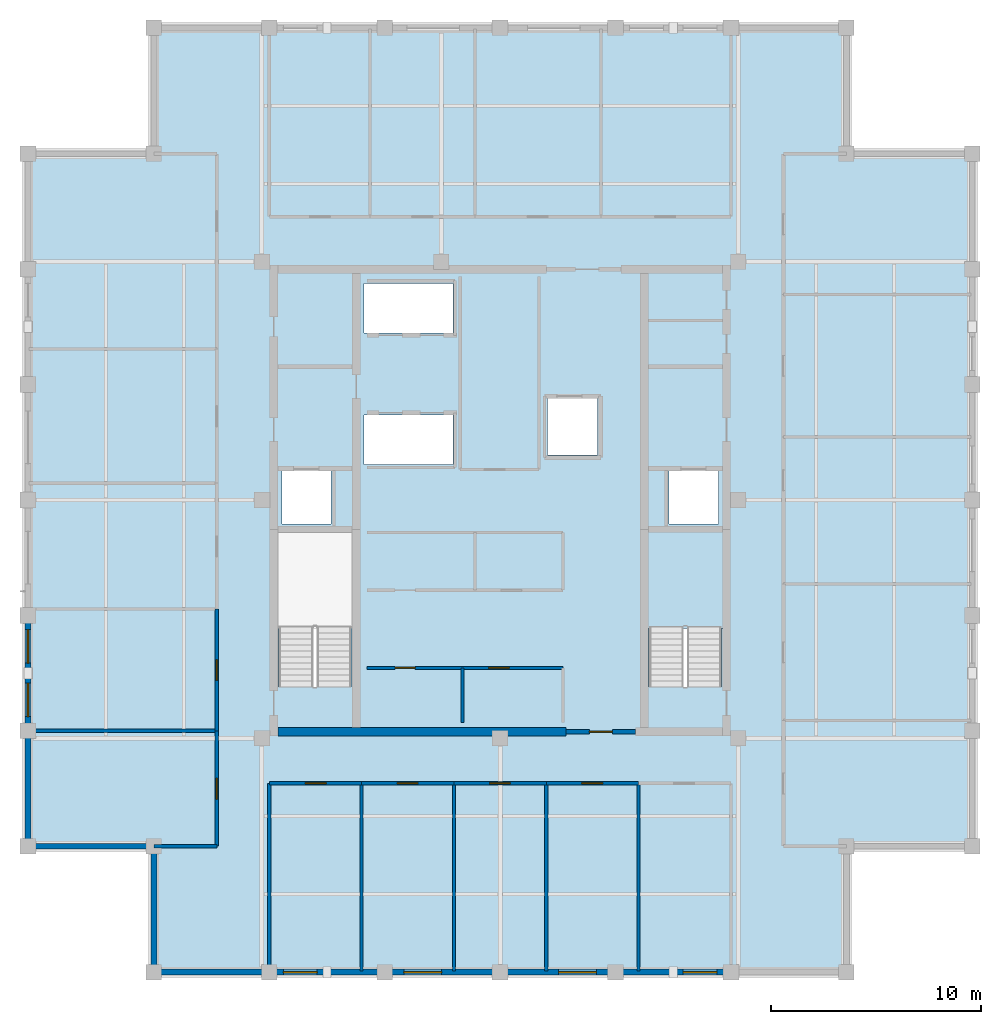
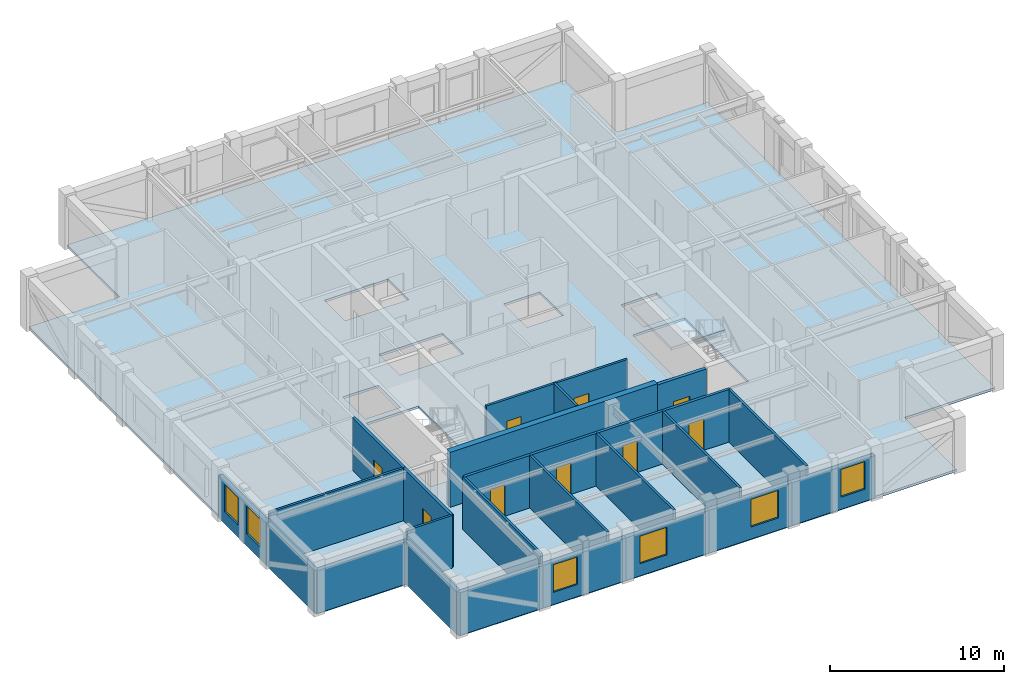
# One storey, part 3 of 7: 26 walls, 9 doors, 6 windows, 2 slabs, 15 openings, 1 element without a shape of its own.
"""IFC4 building model written with IfcOpenShell, lengths in metres."""

from ifc_helpers import new_model, si_unit, direction, frame, frame_2d, origin, place, context, subcontext, project, spatial, polyline, rectangle, outline, extrude, material, layer, layer_set, type_object, element, fill, aggregate, save


model = new_model("IFC4")

# Units and contexts
model_context = context("Model", 3, precision=1e-05, world=origin(), true_north=direction((0.0, 1.0)))
body_context = subcontext(model_context, "Body", "Model", "MODEL_VIEW")
ifc_project = project(units=[si_unit("LENGTHUNIT", "METRE"), si_unit("AREAUNIT", "SQUARE_METRE"), si_unit("VOLUMEUNIT", "CUBIC_METRE"), si_unit("PLANEANGLEUNIT", "RADIAN"), si_unit("MASSUNIT", "GRAM", prefix="KILO")], contexts=[model_context])

# Site, building, storey
site_placement = place(None, origin())
site = spatial("IfcSite", under=ifc_project, at=site_placement, CompositionType="ELEMENT")
building_placement = place(site_placement, origin())
building = spatial("IfcBuilding", under=site, at=building_placement, Name="Nhamokura Convention Tower", CompositionType="ELEMENT")
storey_placement = place(building_placement, frame((0.0, 0.0, 285.25)))
storey = spatial("IfcBuildingStorey", under=building, at=storey_placement, Name="L70", CompositionType="ELEMENT", Elevation=285.25)

# Slab
ifc_material_1 = material(Name="Concrete C40/50", Category="concrete")
ifc_layer_1 = layer(ifc_material_1, 0.1650390625)
ifc_layer_set_1 = layer_set([ifc_layer_1], Name="OfficeFloorSlab_165")
slab_type_1 = type_object("IfcSlabType", Name="OfficeFloorSlab_165", PredefinedType="FLOOR", material=ifc_layer_set_1)
slab_1_placement = place(storey_placement, frame((0.0, 0.0, -0.1650390625)))
element("IfcSlab", 1, at=slab_1_placement, inside=storey, type_object=slab_type_1, Name="L70 Structural Floor Slab", PredefinedType="FLOOR", context=body_context, shape_type="SweptSolid", body=[
    extrude(outline(polyline([(15.5, 9.5), (48.5, 9.5), (48.5, 15.5), (54.5, 15.5), (54.5, 48.5), (48.5, 48.5), (48.5, 54.5), (15.5, 54.5), (15.5, 48.5), (9.5, 48.5), (9.5, 15.5), (15.5, 15.5), (15.5, 9.5)]), holes=[polyline([(24.89990234375, 23.10009765625), (24.89990234375, 30.449951171875), (21.449951171875, 30.449951171875), (21.449951171875, 23.10009765625), (24.89990234375, 23.10009765625)]), polyline([(42.550048828125, 23.10009765625), (42.550048828125, 30.449951171875), (39.10009765625, 30.449951171875), (39.10009765625, 23.10009765625), (42.550048828125, 23.10009765625)]), polyline([(21.60009765625, 30.85009765625), (23.949951171875, 30.85009765625), (23.949951171875, 33.39990234375), (21.60009765625, 33.39990234375), (21.60009765625, 30.85009765625)]), polyline([(40.050048828125, 30.85009765625), (42.39990234375, 30.85009765625), (42.39990234375, 33.39990234375), (40.050048828125, 33.39990234375), (40.050048828125, 30.85009765625)]), polyline([(34.25, 34.14990234375), (36.64990234375, 34.14990234375), (36.64990234375, 36.85009765625), (34.25, 36.85009765625), (34.25, 34.14990234375)]), polyline([(25.52001953125, 33.679931640625), (29.75, 33.679931640625), (29.75, 36.050048828125), (25.52001953125, 36.050048828125), (25.52001953125, 33.679931640625)]), polyline([(25.52001953125, 39.949951171875), (29.75, 39.949951171875), (29.75, 42.320068359375), (25.52001953125, 42.320068359375), (25.52001953125, 39.949951171875)])]), origin(), (0.0, 0.0, 1.0), 0.1650390625),
])

# Stair, slab
ifc_material_2 = material(Name="Concrete C40/50", Category="concrete")
stair_type = type_object("IfcStairType", Name="TowerCoreStair_1650", PredefinedType="HALF_TURN_STAIR", material=ifc_material_2)
stair_placement = place(storey_placement, origin())
stair = element("IfcStair", 2, at=stair_placement, inside=storey, type_object=stair_type, Name="L70 East Core Smokeproof Stair ST-02", PredefinedType="HALF_TURN_STAIR")
ifc_material_3 = material(Name="Concrete C40/50", Category="concrete")
ifc_layer_2 = layer(ifc_material_3, 0.199951171875)
ifc_layer_set_2 = layer_set([ifc_layer_2], Name="StairLandingSlab_200")
slab_type_2 = type_object("IfcSlabType", Name="StairLandingSlab_200", PredefinedType="LANDING", material=ifc_layer_set_2)
slab_2_placement = place(storey_placement, frame((0.0, 0.0, 1.72509765625)))
slab_2 = element("IfcSlab", 3, at=slab_2_placement, type_object=slab_type_2, Name="ST-02 landing 1", PredefinedType="LANDING", context=body_context, shape_type="SweptSolid", body=[
    extrude(outline(polyline([(42.6298828125, 25.8701171875), (42.6298828125, 30.530029296875), (39.02001953125, 30.530029296875), (39.02001953125, 25.8701171875), (42.6298828125, 25.8701171875)])), origin(), (0.0, 0.0, 1.0), 0.199951171875),
])
aggregate(stair, [slab_2])

# Wall
ifc_material_4 = material(Name="Bronze-pigmented precast concrete C45/55", Category="concrete")
ifc_layer_3 = layer(ifc_material_4, 0.280029296875)
ifc_layer_set_3 = layer_set([ifc_layer_3], Name="BronzePrecastSpandrel_280")
wall_type_1 = type_object("IfcWallType", Name="BronzePrecastSpandrel_280", PredefinedType="USERDEFINED", material=ifc_layer_set_3)
wall_1_placement = place(storey_placement, frame((21.0, 9.5, 0.0), z_axis=(0.0, 0.0, 1.0), x_axis=(-1.0, 0.0, 0.0)))
element("IfcWall", 4, at=wall_1_placement, inside=storey, type_object=wall_type_1, Name="L70 Braced-Bay Precast Wall SOUTH 0", ObjectType="SPANDREL_WALL", PredefinedType="USERDEFINED", context=body_context, shape_type="SweptSolid", body=[
    extrude(rectangle(XDim=5.5, YDim=0.280029296875, at=frame_2d((2.75, 0.0))), origin(), (0.0, 0.0, 1.0), 2.985107421875),
])

# Wall, opening, window
wall_2_placement = place(storey_placement, frame((26.5, 9.5, 0.0), z_axis=(0.0, 0.0, 1.0), x_axis=(-1.0, 0.0, 0.0)))
wall_2 = element("IfcWall", 5, at=wall_2_placement, inside=storey, type_object=wall_type_1, Name="L70 Masonry-Frame Wall SOUTH 1", ObjectType="SPANDREL_WALL", PredefinedType="USERDEFINED", context=body_context, shape_type="SweptSolid", body=[
    extrude(rectangle(XDim=5.5, YDim=0.280029296875, at=frame_2d((2.75, 0.0))), origin(), (0.0, 0.0, 1.0), 2.985107421875),
])
opening_1_placement = place(wall_2_placement, frame((3.22509765625, 0.0, 0.85009765625)))
opening_1 = element("IfcOpeningElement", 6, at=opening_1_placement, cuts=wall_2, Name="Opening W-11", PredefinedType="OPENING", context=body_context, shape_type="SweptSolid", body=[
    extrude(rectangle(XDim=1.60009765625, YDim=1.93505859375, at=frame_2d((0.800048828125, 0.967529296875))), frame((0.0, 0.14990234375, 0.0), z_axis=(0.0, -1.0, 0.0), x_axis=(1.0, 0.0, 0.0)), (0.0, 0.0, 1.0), 0.300048828125),
])
ifc_material_5 = material(Name="Solar-control bronze low-E double glass", Category="glass")
window_type_1 = type_object("IfcWindowType", Name="NotchCornerWindow_1600", PartitioningType="SINGLE_PANEL", PredefinedType="WINDOW", material=ifc_material_5)
window_1_placement = place(opening_1_placement, origin())
window_1 = element("IfcWindow", 7, at=window_1_placement, inside=storey, type_object=window_type_1, Name="L70 Facade Window SOUTH 1-3", OverallHeight=1.93505859375, OverallWidth=1.60009765625, PartitioningType="SINGLE_PANEL", PredefinedType="WINDOW", context=body_context, shape_type="SweptSolid", body=[
    extrude(rectangle(XDim=1.60009765625, YDim=1.93505859375, at=frame_2d((0.800048828125, 0.967529296875))), frame((0.0, 0.030029296875, 0.0), z_axis=(0.0, -1.0, 0.0), x_axis=(1.0, 0.0, 0.0)), (0.0, 0.0, 1.0), 0.06005859375),
])
fill(opening_1, window_1)

wall_3_placement = place(storey_placement, frame((32.0, 9.5, 0.0), z_axis=(0.0, 0.0, 1.0), x_axis=(-1.0, 0.0, 0.0)))
wall_3 = element("IfcWall", 8, at=wall_3_placement, inside=storey, type_object=wall_type_1, Name="L70 Masonry-Frame Wall SOUTH 2", ObjectType="SPANDREL_WALL", PredefinedType="USERDEFINED", context=body_context, shape_type="SweptSolid", body=[
    extrude(rectangle(XDim=5.5, YDim=0.280029296875, at=frame_2d((2.75, 0.0))), origin(), (0.0, 0.0, 1.0), 2.985107421875),
])
opening_2_placement = place(wall_3_placement, frame((2.78759765625, 0.0, 0.85009765625)))
opening_2 = element("IfcOpeningElement", 9, at=opening_2_placement, cuts=wall_3, Name="Opening W-10", PredefinedType="OPENING", context=body_context, shape_type="SweptSolid", body=[
    extrude(rectangle(XDim=1.800048828125, YDim=1.93505859375, at=frame_2d((0.89990234375, 0.967529296875))), frame((0.0, 0.14990234375, 0.0), z_axis=(0.0, -1.0, 0.0), x_axis=(1.0, 0.0, 0.0)), (0.0, 0.0, 1.0), 0.300048828125),
])
ifc_material_6 = material(Name="Solar-control bronze low-E double glass", Category="glass")
window_type_2 = type_object("IfcWindowType", Name="SummitWindow_Z4_1800", PartitioningType="SINGLE_PANEL", PredefinedType="WINDOW", material=ifc_material_6)
window_2_placement = place(opening_2_placement, origin())
window_2 = element("IfcWindow", 10, at=window_2_placement, inside=storey, type_object=window_type_2, Name="L70 Facade Window SOUTH 2-2", OverallHeight=1.93505859375, OverallWidth=1.800048828125, PartitioningType="SINGLE_PANEL", PredefinedType="WINDOW", context=body_context, shape_type="SweptSolid", body=[
    extrude(rectangle(XDim=1.800048828125, YDim=1.93505859375, at=frame_2d((0.89990234375, 0.967529296875))), frame((0.0, 0.030029296875, 0.0), z_axis=(0.0, -1.0, 0.0), x_axis=(1.0, 0.0, 0.0)), (0.0, 0.0, 1.0), 0.06005859375),
])
fill(opening_2, window_2)

wall_4_placement = place(storey_placement, frame((37.5, 9.5, 0.0), z_axis=(0.0, 0.0, 1.0), x_axis=(-1.0, 0.0, 0.0)))
wall_4 = element("IfcWall", 11, at=wall_4_placement, inside=storey, type_object=wall_type_1, Name="L70 Masonry-Frame Wall SOUTH 3", ObjectType="SPANDREL_WALL", PredefinedType="USERDEFINED", context=body_context, shape_type="SweptSolid", body=[
    extrude(rectangle(XDim=5.5, YDim=0.280029296875, at=frame_2d((2.75, 0.0))), origin(), (0.0, 0.0, 1.0), 2.985107421875),
])
opening_3_placement = place(wall_4_placement, frame((0.91259765625, 0.0, 0.85009765625)))
opening_3 = element("IfcOpeningElement", 12, at=opening_3_placement, cuts=wall_4, Name="Opening W-10", PredefinedType="OPENING", context=body_context, shape_type="SweptSolid", body=[
    extrude(rectangle(XDim=1.800048828125, YDim=1.93505859375, at=frame_2d((0.89990234375, 0.967529296875))), frame((0.0, 0.14990234375, 0.0), z_axis=(0.0, -1.0, 0.0), x_axis=(1.0, 0.0, 0.0)), (0.0, 0.0, 1.0), 0.300048828125),
])
window_3_placement = place(opening_3_placement, origin())
window_3 = element("IfcWindow", 13, at=window_3_placement, inside=storey, type_object=window_type_2, Name="L70 Facade Window SOUTH 3-1", OverallHeight=1.93505859375, OverallWidth=1.800048828125, PartitioningType="SINGLE_PANEL", PredefinedType="WINDOW", context=body_context, shape_type="SweptSolid", body=[
    extrude(rectangle(XDim=1.800048828125, YDim=1.93505859375, at=frame_2d((0.89990234375, 0.967529296875))), frame((0.0, 0.030029296875, 0.0), z_axis=(0.0, -1.0, 0.0), x_axis=(1.0, 0.0, 0.0)), (0.0, 0.0, 1.0), 0.06005859375),
])
fill(opening_3, window_3)

wall_5_placement = place(storey_placement, frame((43.0, 9.5, 0.0), z_axis=(0.0, 0.0, 1.0), x_axis=(-1.0, 0.0, 0.0)))
wall_5 = element("IfcWall", 14, at=wall_5_placement, inside=storey, type_object=wall_type_1, Name="L70 Masonry-Frame Wall SOUTH 4", ObjectType="SPANDREL_WALL", PredefinedType="USERDEFINED", context=body_context, shape_type="SweptSolid", body=[
    extrude(rectangle(XDim=5.5, YDim=0.280029296875, at=frame_2d((2.75, 0.0))), origin(), (0.0, 0.0, 1.0), 2.985107421875),
])
opening_4_placement = place(wall_5_placement, frame((0.675048828125, 0.0, 0.85009765625)))
opening_4 = element("IfcOpeningElement", 15, at=opening_4_placement, cuts=wall_5, Name="Opening W-11", PredefinedType="OPENING", context=body_context, shape_type="SweptSolid", body=[
    extrude(rectangle(XDim=1.60009765625, YDim=1.93505859375, at=frame_2d((0.800048828125, 0.967529296875))), frame((0.0, 0.14990234375, 0.0), z_axis=(0.0, -1.0, 0.0), x_axis=(1.0, 0.0, 0.0)), (0.0, 0.0, 1.0), 0.300048828125),
])
window_4_placement = place(opening_4_placement, origin())
window_4 = element("IfcWindow", 16, at=window_4_placement, inside=storey, type_object=window_type_1, Name="L70 Facade Window SOUTH 4-1", OverallHeight=1.93505859375, OverallWidth=1.60009765625, PartitioningType="SINGLE_PANEL", PredefinedType="WINDOW", context=body_context, shape_type="SweptSolid", body=[
    extrude(rectangle(XDim=1.60009765625, YDim=1.93505859375, at=frame_2d((0.800048828125, 0.967529296875))), frame((0.0, 0.030029296875, 0.0), z_axis=(0.0, -1.0, 0.0), x_axis=(1.0, 0.0, 0.0)), (0.0, 0.0, 1.0), 0.06005859375),
])
fill(opening_4, window_4)

# Wall
wall_6_placement = place(storey_placement, frame((9.5, 15.5, 0.0), z_axis=(0.0, 0.0, 1.0), x_axis=(0.0, 1.0, 0.0)))
element("IfcWall", 17, at=wall_6_placement, inside=storey, type_object=wall_type_1, Name="L70 Braced-Bay Precast Wall WEST 0", ObjectType="SPANDREL_WALL", PredefinedType="USERDEFINED", context=body_context, shape_type="SweptSolid", body=[
    extrude(rectangle(XDim=5.5, YDim=0.280029296875, at=frame_2d((2.75, 0.0))), origin(), (0.0, 0.0, 1.0), 2.985107421875),
])

# Wall, openings, windows
wall_7_placement = place(storey_placement, frame((9.5, 21.0, 0.0), z_axis=(0.0, 0.0, 1.0), x_axis=(0.0, 1.0, 0.0)))
wall_7 = element("IfcWall", 18, at=wall_7_placement, inside=storey, type_object=wall_type_1, Name="L70 Masonry-Frame Wall WEST 1", ObjectType="SPANDREL_WALL", PredefinedType="USERDEFINED", context=body_context, shape_type="SweptSolid", body=[
    extrude(rectangle(XDim=5.5, YDim=0.280029296875, at=frame_2d((2.75, 0.0))), origin(), (0.0, 0.0, 1.0), 2.985107421875),
])
opening_5_placement = place(wall_7_placement, frame((0.675048828125, 0.0, 0.85009765625)))
opening_5 = element("IfcOpeningElement", 19, at=opening_5_placement, cuts=wall_7, Name="Opening W-11", PredefinedType="OPENING", context=body_context, shape_type="SweptSolid", body=[
    extrude(rectangle(XDim=1.60009765625, YDim=1.93505859375, at=frame_2d((0.800048828125, 0.967529296875))), frame((0.0, 0.14990234375, 0.0), z_axis=(0.0, -1.0, 0.0), x_axis=(1.0, 0.0, 0.0)), (0.0, 0.0, 1.0), 0.300048828125),
])
opening_6_placement = place(wall_7_placement, frame((3.22509765625, 0.0, 0.85009765625)))
opening_6 = element("IfcOpeningElement", 20, at=opening_6_placement, cuts=wall_7, Name="Opening W-11", PredefinedType="OPENING", context=body_context, shape_type="SweptSolid", body=[
    extrude(rectangle(XDim=1.60009765625, YDim=1.93505859375, at=frame_2d((0.800048828125, 0.967529296875))), frame((0.0, 0.14990234375, 0.0), z_axis=(0.0, -1.0, 0.0), x_axis=(1.0, 0.0, 0.0)), (0.0, 0.0, 1.0), 0.300048828125),
])
window_5_placement = place(opening_5_placement, origin())
window_5 = element("IfcWindow", 21, at=window_5_placement, inside=storey, type_object=window_type_1, Name="L70 Facade Window WEST 1-1", OverallHeight=1.93505859375, OverallWidth=1.60009765625, PartitioningType="SINGLE_PANEL", PredefinedType="WINDOW", context=body_context, shape_type="SweptSolid", body=[
    extrude(rectangle(XDim=1.60009765625, YDim=1.93505859375, at=frame_2d((0.800048828125, 0.967529296875))), frame((0.0, 0.030029296875, 0.0), z_axis=(0.0, -1.0, 0.0), x_axis=(1.0, 0.0, 0.0)), (0.0, 0.0, 1.0), 0.06005859375),
])
fill(opening_5, window_5)
window_6_placement = place(opening_6_placement, origin())
window_6 = element("IfcWindow", 22, at=window_6_placement, inside=storey, type_object=window_type_1, Name="L70 Facade Window WEST 1-2", OverallHeight=1.93505859375, OverallWidth=1.60009765625, PartitioningType="SINGLE_PANEL", PredefinedType="WINDOW", context=body_context, shape_type="SweptSolid", body=[
    extrude(rectangle(XDim=1.60009765625, YDim=1.93505859375, at=frame_2d((0.800048828125, 0.967529296875))), frame((0.0, 0.030029296875, 0.0), z_axis=(0.0, -1.0, 0.0), x_axis=(1.0, 0.0, 0.0)), (0.0, 0.0, 1.0), 0.06005859375),
])
fill(opening_6, window_6)

# Walls
for number, where, z_axis, x_axis, name in (
    (23, (15.5, 9.5, 0.0), (0.0, 0.0, 1.0), (0.0, 1.0, 0.0), "L70 Notched Corner Wall SW1"),
    (24, (15.5, 15.5, 0.0), (0.0, 0.0, 1.0), (-1.0, 0.0, 0.0), "L70 Notched Corner Wall SW2"),
):
    element("IfcWall", number, at=place(storey_placement, frame(where, z_axis=z_axis, x_axis=x_axis)), inside=storey, type_object=wall_type_1, Name=name, ObjectType="SPANDREL_WALL", PredefinedType="USERDEFINED", context=body_context, shape_type="SweptSolid", body=[
        extrude(rectangle(XDim=6.0, YDim=0.280029296875, at=frame_2d((3.0, 0.0))), origin(), (0.0, 0.0, 1.0), 2.985107421875),
    ])
ifc_material_7 = material(Name="Concrete C50/60", Category="concrete")
ifc_layer_4 = layer(ifc_material_7, 0.39990234375)
ifc_layer_set_4 = layer_set([ifc_layer_4], Name="CoreShearWall_400")
wall_type_2 = type_object("IfcWallType", Name="CoreShearWall_400", PredefinedType="SHEAR", material=ifc_layer_set_4)
wall_8_placement = place(storey_placement, frame((21.409912109375, 20.949951171875, 0.0), z_axis=(0.0, 0.0, 1.0), x_axis=(1.0, 0.0, 0.0)))
element("IfcWall", 25, at=wall_8_placement, inside=storey, type_object=wall_type_2, Name="L70 Core Shear Wall CW-S1", PredefinedType="SHEAR", context=body_context, shape_type="SweptSolid", body=[
    extrude(rectangle(XDim=13.739990234375, YDim=0.39990234375, at=frame_2d((6.8701171875, 0.0))), origin(), (0.0, 0.0, 1.0), 3.85009765625),
])

# Wall, opening, door
ifc_material_8 = material(Name="Fire-rated gypsum and masonry partition", Category="masonry")
ifc_layer_5 = layer(ifc_material_8, 0.179931640625)
ifc_layer_set_5 = layer_set([ifc_layer_5], Name="CorridorRatedWall_180")
wall_type_3 = type_object("IfcWallType", Name="CorridorRatedWall_180", PredefinedType="STANDARD", material=ifc_layer_set_5)
wall_9_placement = place(storey_placement, frame((21.0, 18.5, 0.0), z_axis=(0.0, 0.0, 1.0), x_axis=(1.0, 0.0, 0.0)))
wall_9 = element("IfcWall", 26, at=wall_9_placement, inside=storey, type_object=wall_type_3, Name="L70 Wall INT-L70-CW-S00", PredefinedType="STANDARD", context=body_context, shape_type="SweptSolid", body=[
    extrude(rectangle(XDim=4.39990234375, YDim=0.179931640625, at=frame_2d((2.199951171875, 0.0))), origin(), (0.0, 0.0, 1.0), 3.68505859375),
])
opening_7_placement = place(wall_9_placement, frame((1.72509765625, 0.0, 0.0)))
opening_7 = element("IfcOpeningElement", 27, at=opening_7_placement, cuts=wall_9, Name="Opening D-08", PredefinedType="OPENING", context=body_context, shape_type="SweptSolid", body=[
    extrude(rectangle(XDim=0.97998046875, YDim=2.199951171875, at=frame_2d((0.489990234375, 1.10009765625))), frame((0.0, 0.099853515625, 0.0), z_axis=(0.0, -1.0, 0.0), x_axis=(1.0, 0.0, 0.0)), (0.0, 0.0, 1.0), 0.199951171875),
])
ifc_material_9 = material(Name="Solid oak hardwood", Category="wood")
door_type_1 = type_object("IfcDoorType", Name="OfficeEntryDoor_980", OperationType="NOTDEFINED", PredefinedType="DOOR", material=ifc_material_9)
door_1_placement = place(opening_7_placement, origin())
door_1 = element("IfcDoor", 28, at=door_1_placement, inside=storey, type_object=door_type_1, Name="L70 Meeting Room S01 Door", OperationType="SINGLE_SWING_LEFT", OverallHeight=2.199951171875, OverallWidth=0.97998046875, PredefinedType="DOOR", context=body_context, shape_type="SweptSolid", body=[
    extrude(rectangle(XDim=0.97998046875, YDim=2.199951171875, at=frame_2d((0.489990234375, 1.10009765625))), frame((0.0, 0.02490234375, 0.0), z_axis=(0.0, -1.0, 0.0), x_axis=(1.0, 0.0, 0.0)), (0.0, 0.0, 1.0), 0.050048828125),
])
fill(opening_7, door_1)

wall_10_placement = place(storey_placement, frame((25.39990234375, 18.5, 0.0), z_axis=(0.0, 0.0, 1.0), x_axis=(1.0, 0.0, 0.0)))
wall_10 = element("IfcWall", 29, at=wall_10_placement, inside=storey, type_object=wall_type_3, Name="L70 Wall INT-L70-CW-S01", PredefinedType="STANDARD", context=body_context, shape_type="SweptSolid", body=[
    extrude(rectangle(XDim=4.400146484375, YDim=0.179931640625, at=frame_2d((2.2001953125, 0.0))), origin(), (0.0, 0.0, 1.0), 3.68505859375),
])
opening_8_placement = place(wall_10_placement, frame((1.699951171875, 0.0, 0.0)))
opening_8 = element("IfcOpeningElement", 30, at=opening_8_placement, cuts=wall_10, Name="Opening D-08", PredefinedType="OPENING", context=body_context, shape_type="SweptSolid", body=[
    extrude(rectangle(XDim=0.97998046875, YDim=2.199951171875, at=frame_2d((0.489990234375, 1.10009765625))), frame((0.0, 0.099853515625, 0.0), z_axis=(0.0, -1.0, 0.0), x_axis=(1.0, 0.0, 0.0)), (0.0, 0.0, 1.0), 0.199951171875),
])
door_2_placement = place(opening_8_placement, origin())
door_2 = element("IfcDoor", 31, at=door_2_placement, inside=storey, type_object=door_type_1, Name="L70 Private Office S02 Door", OperationType="SINGLE_SWING_RIGHT", OverallHeight=2.199951171875, OverallWidth=0.97998046875, PredefinedType="DOOR", context=body_context, shape_type="SweptSolid", body=[
    extrude(rectangle(XDim=0.97998046875, YDim=2.199951171875, at=frame_2d((0.489990234375, 1.10009765625))), frame((0.0, 0.02490234375, 0.0), z_axis=(0.0, -1.0, 0.0), x_axis=(1.0, 0.0, 0.0)), (0.0, 0.0, 1.0), 0.050048828125),
])
fill(opening_8, door_2)

wall_11_placement = place(storey_placement, frame((29.800048828125, 18.5, 0.0), z_axis=(0.0, 0.0, 1.0), x_axis=(1.0, 0.0, 0.0)))
wall_11 = element("IfcWall", 32, at=wall_11_placement, inside=storey, type_object=wall_type_3, Name="L70 Wall INT-L70-CW-S02", PredefinedType="STANDARD", context=body_context, shape_type="SweptSolid", body=[
    extrude(rectangle(XDim=4.39990234375, YDim=0.179931640625, at=frame_2d((2.199951171875, 0.0))), origin(), (0.0, 0.0, 1.0), 3.68505859375),
])
opening_9_placement = place(wall_11_placement, frame((1.699951171875, 0.0, 0.0)))
opening_9 = element("IfcOpeningElement", 33, at=opening_9_placement, cuts=wall_11, Name="Opening D-08", PredefinedType="OPENING", context=body_context, shape_type="SweptSolid", body=[
    extrude(rectangle(XDim=0.97998046875, YDim=2.199951171875, at=frame_2d((0.489990234375, 1.10009765625))), frame((0.0, 0.099853515625, 0.0), z_axis=(0.0, -1.0, 0.0), x_axis=(1.0, 0.0, 0.0)), (0.0, 0.0, 1.0), 0.199951171875),
])
door_3_placement = place(opening_9_placement, origin())
door_3 = element("IfcDoor", 34, at=door_3_placement, inside=storey, type_object=door_type_1, Name="L70 Boardroom S03 Door", OperationType="SINGLE_SWING_LEFT", OverallHeight=2.199951171875, OverallWidth=0.97998046875, PredefinedType="DOOR", context=body_context, shape_type="SweptSolid", body=[
    extrude(rectangle(XDim=0.97998046875, YDim=2.199951171875, at=frame_2d((0.489990234375, 1.10009765625))), frame((0.0, 0.02490234375, 0.0), z_axis=(0.0, -1.0, 0.0), x_axis=(1.0, 0.0, 0.0)), (0.0, 0.0, 1.0), 0.050048828125),
])
fill(opening_9, door_3)

wall_12_placement = place(storey_placement, frame((34.199951171875, 18.5, 0.0), z_axis=(0.0, 0.0, 1.0), x_axis=(1.0, 0.0, 0.0)))
wall_12 = element("IfcWall", 35, at=wall_12_placement, inside=storey, type_object=wall_type_3, Name="L70 Wall INT-L70-CW-S03", PredefinedType="STANDARD", context=body_context, shape_type="SweptSolid", body=[
    extrude(rectangle(XDim=4.400146484375, YDim=0.179931640625, at=frame_2d((2.2001953125, 0.0))), origin(), (0.0, 0.0, 1.0), 3.68505859375),
])
opening_10_placement = place(wall_12_placement, frame((1.699951171875, 0.0, 0.0)))
opening_10 = element("IfcOpeningElement", 36, at=opening_10_placement, cuts=wall_12, Name="Opening D-08", PredefinedType="OPENING", context=body_context, shape_type="SweptSolid", body=[
    extrude(rectangle(XDim=0.97998046875, YDim=2.199951171875, at=frame_2d((0.489990234375, 1.10009765625))), frame((0.0, 0.099853515625, 0.0), z_axis=(0.0, -1.0, 0.0), x_axis=(1.0, 0.0, 0.0)), (0.0, 0.0, 1.0), 0.199951171875),
])
door_4_placement = place(opening_10_placement, origin())
door_4 = element("IfcDoor", 37, at=door_4_placement, inside=storey, type_object=door_type_1, Name="L70 Meeting Room S04 Door", OperationType="SINGLE_SWING_RIGHT", OverallHeight=2.199951171875, OverallWidth=0.97998046875, PredefinedType="DOOR", context=body_context, shape_type="SweptSolid", body=[
    extrude(rectangle(XDim=0.97998046875, YDim=2.199951171875, at=frame_2d((0.489990234375, 1.10009765625))), frame((0.0, 0.02490234375, 0.0), z_axis=(0.0, -1.0, 0.0), x_axis=(1.0, 0.0, 0.0)), (0.0, 0.0, 1.0), 0.050048828125),
])
fill(opening_10, door_4)

wall_13_placement = place(storey_placement, frame((18.5, 15.5, 0.0), z_axis=(0.0, 0.0, 1.0), x_axis=(0.0, 1.0, 0.0)))
wall_13 = element("IfcWall", 38, at=wall_13_placement, inside=storey, type_object=wall_type_3, Name="L70 Wall INT-L70-CW-W00", PredefinedType="STANDARD", context=body_context, shape_type="SweptSolid", body=[
    extrude(rectangle(XDim=5.5, YDim=0.179931640625, at=frame_2d((2.75, 0.0))), origin(), (0.0, 0.0, 1.0), 3.68505859375),
])
opening_11_placement = place(wall_13_placement, frame((2.25, 0.0, 0.0)))
opening_11 = element("IfcOpeningElement", 39, at=opening_11_placement, cuts=wall_13, Name="Opening D-08", PredefinedType="OPENING", context=body_context, shape_type="SweptSolid", body=[
    extrude(rectangle(XDim=0.97998046875, YDim=2.199951171875, at=frame_2d((0.489990234375, 1.10009765625))), frame((0.0, 0.099853515625, 0.0), z_axis=(0.0, -1.0, 0.0), x_axis=(1.0, 0.0, 0.0)), (0.0, 0.0, 1.0), 0.199951171875),
])
door_5_placement = place(opening_11_placement, origin())
door_5 = element("IfcDoor", 40, at=door_5_placement, inside=storey, type_object=door_type_1, Name="L70 Meeting Room W01 Door", OperationType="SINGLE_SWING_LEFT", OverallHeight=2.199951171875, OverallWidth=0.97998046875, PredefinedType="DOOR", context=body_context, shape_type="SweptSolid", body=[
    extrude(rectangle(XDim=0.97998046875, YDim=2.199951171875, at=frame_2d((0.489990234375, 1.10009765625))), frame((0.0, 0.02490234375, 0.0), z_axis=(0.0, -1.0, 0.0), x_axis=(1.0, 0.0, 0.0)), (0.0, 0.0, 1.0), 0.050048828125),
])
fill(opening_11, door_5)

wall_14_placement = place(storey_placement, frame((18.5, 21.0, 0.0), z_axis=(0.0, 0.0, 1.0), x_axis=(0.0, 1.0, 0.0)))
wall_14 = element("IfcWall", 41, at=wall_14_placement, inside=storey, type_object=wall_type_3, Name="L70 Wall INT-L70-CW-W01", PredefinedType="STANDARD", context=body_context, shape_type="SweptSolid", body=[
    extrude(rectangle(XDim=5.800048828125, YDim=0.179931640625, at=frame_2d((2.89990234375, 0.0))), origin(), (0.0, 0.0, 1.0), 3.68505859375),
])
opening_12_placement = place(wall_14_placement, frame((2.39990234375, 0.0, 0.0)))
opening_12 = element("IfcOpeningElement", 42, at=opening_12_placement, cuts=wall_14, Name="Opening D-08", PredefinedType="OPENING", context=body_context, shape_type="SweptSolid", body=[
    extrude(rectangle(XDim=0.97998046875, YDim=2.199951171875, at=frame_2d((0.489990234375, 1.10009765625))), frame((0.0, 0.099853515625, 0.0), z_axis=(0.0, -1.0, 0.0), x_axis=(1.0, 0.0, 0.0)), (0.0, 0.0, 1.0), 0.199951171875),
])
door_6_placement = place(opening_12_placement, origin())
door_6 = element("IfcDoor", 43, at=door_6_placement, inside=storey, type_object=door_type_1, Name="L70 Private Office W02 Door", OperationType="SINGLE_SWING_RIGHT", OverallHeight=2.199951171875, OverallWidth=0.97998046875, PredefinedType="DOOR", context=body_context, shape_type="SweptSolid", body=[
    extrude(rectangle(XDim=0.97998046875, YDim=2.199951171875, at=frame_2d((0.489990234375, 1.10009765625))), frame((0.0, 0.02490234375, 0.0), z_axis=(0.0, -1.0, 0.0), x_axis=(1.0, 0.0, 0.0)), (0.0, 0.0, 1.0), 0.050048828125),
])
fill(opening_12, door_6)

ifc_material_10 = material(Name="Autoclaved concrete blockwork", Category="masonry")
ifc_layer_6 = layer(ifc_material_10, 0.219970703125)
ifc_layer_set_6 = layer_set([ifc_layer_6], Name="FireLobbyWall_220")
wall_type_4 = type_object("IfcWallType", Name="FireLobbyWall_220", PredefinedType="STANDARD", material=ifc_layer_set_6)
wall_15_placement = place(storey_placement, frame((35.14990234375, 20.949951171875, 0.0), z_axis=(0.0, 0.0, 1.0), x_axis=(1.0, 0.0, 0.0)))
wall_15 = element("IfcWall", 44, at=wall_15_placement, inside=storey, type_object=wall_type_4, Name="L70 Wall INT-L70-SPORT-S", PredefinedType="STANDARD", context=body_context, shape_type="SweptSolid", body=[
    extrude(rectangle(XDim=3.300048828125, YDim=0.219970703125, at=frame_2d((1.64990234375, 0.0))), origin(), (0.0, 0.0, 1.0), 3.68505859375),
])
opening_13_placement = place(wall_15_placement, frame((1.10009765625, 0.0, 0.0)))
opening_13 = element("IfcOpeningElement", 45, at=opening_13_placement, cuts=wall_15, Name="Opening D-05", PredefinedType="OPENING", context=body_context, shape_type="SweptSolid", body=[
    extrude(rectangle(XDim=1.10009765625, YDim=2.14990234375, at=frame_2d((0.550048828125, 1.074951171875))), frame((0.0, 0.119873046875, 0.0), z_axis=(0.0, -1.0, 0.0), x_axis=(1.0, 0.0, 0.0)), (0.0, 0.0, 1.0), 0.239990234375),
])
ifc_material_11 = material(Name="Fire-rated steel door", Category="steel")
door_type_2 = type_object("IfcDoorType", Name="FireLobbyDoor_1100", OperationType="NOTDEFINED", PredefinedType="DOOR", material=ifc_material_11)
door_7_placement = place(opening_13_placement, origin())
door_7 = element("IfcDoor", 46, at=door_7_placement, inside=storey, type_object=door_type_2, Name="L70 South Core Lobby Portal Door", OperationType="SINGLE_SWING_LEFT", OverallHeight=2.14990234375, OverallWidth=1.10009765625, PredefinedType="DOOR", context=body_context, shape_type="SweptSolid", body=[
    extrude(rectangle(XDim=1.10009765625, YDim=2.14990234375, at=frame_2d((0.550048828125, 1.074951171875))), frame((0.0, 0.02490234375, 0.0), z_axis=(0.0, -1.0, 0.0), x_axis=(1.0, 0.0, 0.0)), (0.0, 0.0, 1.0), 0.050048828125),
])
fill(opening_13, door_7)

# Wall, openings, doors
ifc_material_12 = material(Name="Acoustic gypsum stud partition", Category="masonry")
ifc_layer_7 = layer(ifc_material_12, 0.14990234375)
ifc_layer_set_7 = layer_set([ifc_layer_7], Name="InteriorPartition_150")
wall_type_5 = type_object("IfcWallType", Name="InteriorPartition_150", PredefinedType="STANDARD", material=ifc_layer_set_7)
wall_16_placement = place(storey_placement, frame((25.64990234375, 24.0, 0.0), z_axis=(0.0, 0.0, 1.0), x_axis=(1.0, 0.0, 0.0)))
wall_16 = element("IfcWall", 47, at=wall_16_placement, inside=storey, type_object=wall_type_5, Name="L70 Wall INT-L70-B1R-N", PredefinedType="STANDARD", context=body_context, shape_type="SweptSolid", body=[
    extrude(rectangle(XDim=9.35009765625, YDim=0.14990234375, at=frame_2d((4.675048828125, 0.0))), origin(), (0.0, 0.0, 1.0), 3.68505859375),
])
opening_14_placement = place(wall_16_placement, frame((1.35009765625, 0.0, 0.0)))
opening_14 = element("IfcOpeningElement", 48, at=opening_14_placement, cuts=wall_16, Name="Opening D-09", PredefinedType="OPENING", context=body_context, shape_type="SweptSolid", body=[
    extrude(rectangle(XDim=0.949951171875, YDim=2.14990234375, at=frame_2d((0.47509765625, 1.074951171875))), frame((0.0, 0.0849609375, 0.0), z_axis=(0.0, -1.0, 0.0), x_axis=(1.0, 0.0, 0.0)), (0.0, 0.0, 1.0), 0.169921875),
])
opening_15_placement = place(wall_16_placement, frame((5.800048828125, 0.0, 0.0)))
opening_15 = element("IfcOpeningElement", 49, at=opening_15_placement, cuts=wall_16, Name="Opening D-08", PredefinedType="OPENING", context=body_context, shape_type="SweptSolid", body=[
    extrude(rectangle(XDim=0.97998046875, YDim=2.199951171875, at=frame_2d((0.489990234375, 1.10009765625))), frame((0.0, 0.0849609375, 0.0), z_axis=(0.0, -1.0, 0.0), x_axis=(1.0, 0.0, 0.0)), (0.0, 0.0, 1.0), 0.169921875),
])
ifc_material_13 = material(Name="Solid oak hardwood", Category="wood")
door_type_3 = type_object("IfcDoorType", Name="MeetingRoomDoor_950", OperationType="NOTDEFINED", PredefinedType="DOOR", material=ifc_material_13)
door_8_placement = place(opening_14_placement, origin())
door_8 = element("IfcDoor", 50, at=door_8_placement, inside=storey, type_object=door_type_3, Name="L70 Reclaimed Briefing Room Door", OperationType="SINGLE_SWING_LEFT", OverallHeight=2.14990234375, OverallWidth=0.949951171875, PredefinedType="DOOR", context=body_context, shape_type="SweptSolid", body=[
    extrude(rectangle(XDim=0.949951171875, YDim=2.14990234375, at=frame_2d((0.47509765625, 1.074951171875))), frame((0.0, 0.02490234375, 0.0), z_axis=(0.0, -1.0, 0.0), x_axis=(1.0, 0.0, 0.0)), (0.0, 0.0, 1.0), 0.050048828125),
])
fill(opening_14, door_8)
door_9_placement = place(opening_15_placement, origin())
door_9 = element("IfcDoor", 51, at=door_9_placement, inside=storey, type_object=door_type_1, Name="L70 Reclaimed Hub Door", OperationType="SINGLE_SWING_RIGHT", OverallHeight=2.199951171875, OverallWidth=0.97998046875, PredefinedType="DOOR", context=body_context, shape_type="SweptSolid", body=[
    extrude(rectangle(XDim=0.97998046875, YDim=2.199951171875, at=frame_2d((0.489990234375, 1.10009765625))), frame((0.0, 0.02490234375, 0.0), z_axis=(0.0, -1.0, 0.0), x_axis=(1.0, 0.0, 0.0)), (0.0, 0.0, 1.0), 0.050048828125),
])
fill(opening_15, door_9)

# Walls
wall_17_placement = place(storey_placement, frame((30.199951171875, 21.39990234375, 0.0), z_axis=(0.0, 0.0, 1.0), x_axis=(0.0, 1.0, 0.0)))
element("IfcWall", 52, at=wall_17_placement, inside=storey, type_object=wall_type_5, Name="L70 Wall INT-L70-B1R-M", PredefinedType="STANDARD", context=body_context, shape_type="SweptSolid", body=[
    extrude(rectangle(XDim=2.60009765625, YDim=0.14990234375, at=frame_2d((1.300048828125, 0.0))), origin(), (0.0, 0.0, 1.0), 3.68505859375),
])
for number, where, z_axis, x_axis, name in (
    (53, (21.0, 9.56005859375, 0.0), (0.0, 0.0, 1.0), (0.0, 1.0, 0.0), "L70 Wall INT-L70-RWL-S"),
    (54, (25.39990234375, 9.56005859375, 0.0), (0.0, 0.0, 1.0), (0.0, 1.0, 0.0), "L70 Wall INT-L70-RW-S01"),
    (55, (29.800048828125, 9.56005859375, 0.0), (0.0, 0.0, 1.0), (0.0, 1.0, 0.0), "L70 Wall INT-L70-RW-S02"),
    (56, (34.199951171875, 9.56005859375, 0.0), (0.0, 0.0, 1.0), (0.0, 1.0, 0.0), "L70 Wall INT-L70-RW-S03"),
    (57, (38.60009765625, 9.56005859375, 0.0), (0.0, 0.0, 1.0), (0.0, 1.0, 0.0), "L70 Wall INT-L70-RW-S04"),
    (58, (9.56005859375, 21.0, 0.0), (0.0, 0.0, 1.0), (1.0, 0.0, 0.0), "L70 Wall INT-L70-RW-W01"),
):
    element("IfcWall", number, at=place(storey_placement, frame(where, z_axis=z_axis, x_axis=x_axis)), inside=storey, type_object=wall_type_5, Name=name, PredefinedType="STANDARD", context=body_context, shape_type="SweptSolid", body=[
        extrude(rectangle(XDim=8.93994140625, YDim=0.14990234375, at=frame_2d((4.469970703125, 0.0))), origin(), (0.0, 0.0, 1.0), 3.68505859375),
    ])
wall_18_placement = place(storey_placement, frame((15.5, 15.5, 0.0), z_axis=(0.0, 0.0, 1.0), x_axis=(1.0, 0.0, 0.0)))
element("IfcWall", 59, at=wall_18_placement, inside=storey, type_object=wall_type_5, Name="L70 Wall INT-L70-VSTP-WS", PredefinedType="STANDARD", context=body_context, shape_type="SweptSolid", body=[
    extrude(rectangle(XDim=3.0, YDim=0.14990234375, at=frame_2d((1.5, 0.0))), origin(), (0.0, 0.0, 1.0), 3.68505859375),
])

save(model, "model.ifc")
